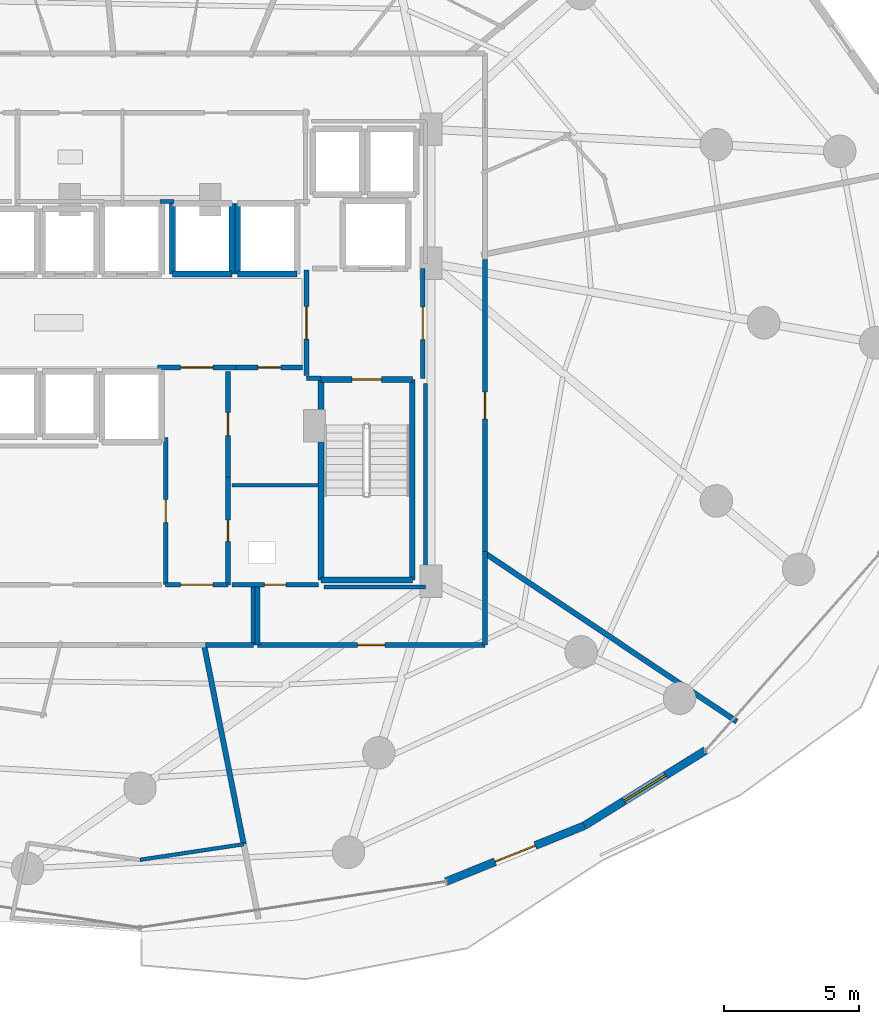
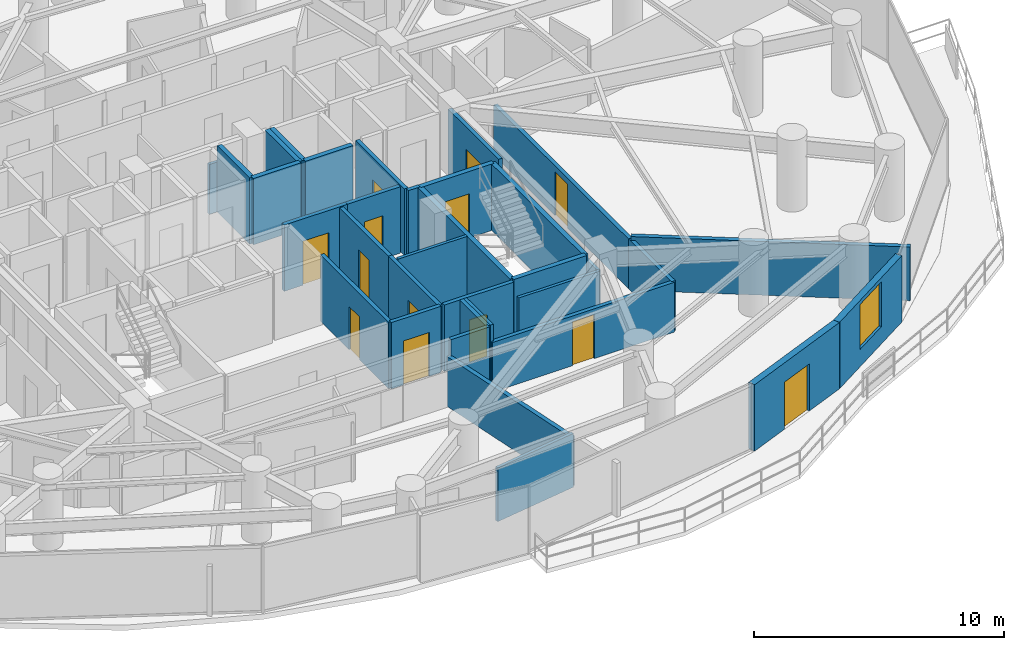
# One storey, part 28 of 34: 34 walls, 13 doors, 1 window, 14 openings.
"""IFC4 building model written with IfcOpenShell, lengths in metres."""

from ifc_helpers import new_model, si_unit, direction, frame, frame_2d, origin, place, context, subcontext, project, spatial, rectangle, extrude, material, layer, layer_set, type_object, element, fill, save


model = new_model("IFC4")

# Units and contexts
model_context = context("Model", 3, precision=1e-05, world=origin(), true_north=direction((0.0, 1.0)))
body_context = subcontext(model_context, "Body", "Model", "MODEL_VIEW")
ifc_project = project(units=[si_unit("LENGTHUNIT", "METRE"), si_unit("AREAUNIT", "SQUARE_METRE"), si_unit("VOLUMEUNIT", "CUBIC_METRE"), si_unit("PLANEANGLEUNIT", "RADIAN"), si_unit("MASSUNIT", "GRAM", prefix="KILO")], contexts=[model_context])

# Site, building, storey
site_placement = place(None, origin())
site = spatial("IfcSite", under=ifc_project, at=site_placement, CompositionType="ELEMENT")
building_placement = place(site_placement, origin())
building = spatial("IfcBuilding", under=site, at=building_placement, Name="Vorneva Point Tower", CompositionType="ELEMENT")
storey_placement = place(building_placement, frame((0.0, 0.0, 62.5)))
storey = spatial("IfcBuildingStorey", under=building, at=storey_placement, Name="L16", CompositionType="ELEMENT", Elevation=62.5)

# Wall, opening, door
ifc_material_1 = material(Name="Precast concrete B50 (C40/50)", Category="concrete")
ifc_layer_1 = layer(ifc_material_1, 0.300048828125)
ifc_layer_set_1 = layer_set([ifc_layer_1], Name="Precast concrete B50 (C40/50)")
wall_type_1 = type_object("IfcWallType", Name="WL-EXT-300", PredefinedType="STANDARD", material=ifc_layer_set_1)
wall_1_placement = place(storey_placement, frame((49.308349609375, 5.351318359375, 0.0), z_axis=(0.0, 0.0, 1.0), x_axis=(0.927095325176, 0.374825636845, 0.0)))
wall_1 = element("IfcWall", 1, at=wall_1_placement, inside=storey, type_object=wall_type_1, Name="L16 Pale-Metal Facade Spandrel Wall 14.1", PredefinedType="STANDARD", context=body_context, shape_type="SweptSolid", body=[
    extrude(rectangle(XDim=5.51025390625, YDim=0.300048828125, at=frame_2d((2.755126953125, 0.0))), origin(), (0.0, 0.0, 1.0), 3.239990234375),
])
opening_1_placement = place(wall_1_placement, frame((1.955322265625, 0.0, 0.0)))
opening_1 = element("IfcOpeningElement", 2, at=opening_1_placement, cuts=wall_1, Name="Opening BD-01", PredefinedType="OPENING", context=body_context, shape_type="SweptSolid", body=[
    extrude(rectangle(XDim=1.60009765625, YDim=2.300048828125, at=frame_2d((0.800048828125, 1.14990234375))), frame((0.0, 0.1650390625, 0.0), z_axis=(0.0, -1.0, 0.0), x_axis=(1.0, 0.0, 0.0)), (0.0, 0.0, 1.0), 0.329833984375),
])
ifc_material_2 = material(Name="Pale anodised aluminium", Category="aluminium")
door_type_1 = type_object("IfcDoorType", Name="DR-BAL-1600", OperationType="SLIDING_TO_LEFT", PredefinedType="DOOR", material=ifc_material_2)
door_1_placement = place(opening_1_placement, origin())
door_1 = element("IfcDoor", 3, at=door_1_placement, inside=storey, type_object=door_type_1, Name="L16 Balcony Terrace Access Door 14", OperationType="SLIDING_TO_LEFT", OverallHeight=2.300048828125, OverallWidth=1.60009765625, PredefinedType="DOOR", context=body_context, shape_type="SweptSolid", body=[
    extrude(rectangle(XDim=1.60009765625, YDim=2.300048828125, at=frame_2d((0.800048828125, 1.14990234375))), frame((0.0, 0.02490234375, 0.0), z_axis=(0.0, -1.0, 0.0), x_axis=(1.0, 0.0, 0.0)), (0.0, 0.0, 1.0), 0.050048828125),
])
fill(opening_1, door_1)

# Wall, opening, window
wall_2_placement = place(storey_placement, frame((54.4169921875, 7.416748046875, 0.0), z_axis=(0.0, 0.0, 1.0), x_axis=(0.849633724826, 0.527373239404, 0.0)))
wall_2 = element("IfcWall", 4, at=wall_2_placement, inside=storey, type_object=wall_type_1, Name="L16 Pale-Metal Facade Spandrel Wall 14.2", PredefinedType="STANDARD", context=body_context, shape_type="SweptSolid", body=[
    extrude(rectangle(XDim=5.2705078125, YDim=0.300048828125, at=frame_2d((2.63525390625, 0.0))), origin(), (0.0, 0.0, 1.0), 3.239990234375),
])
opening_2_placement = place(wall_2_placement, frame((1.735107421875, 0.0, 0.85009765625)))
opening_2 = element("IfcOpeningElement", 5, at=opening_2_placement, cuts=wall_2, Name="Opening W-01", PredefinedType="OPENING", context=body_context, shape_type="SweptSolid", body=[
    extrude(rectangle(XDim=1.800048828125, YDim=2.18994140625, at=frame_2d((0.89990234375, 1.094970703125))), frame((0.0, 0.1650390625, 0.0), z_axis=(0.0, -1.0, 0.0), x_axis=(1.0, 0.0, 0.0)), (0.0, 0.0, 1.0), 0.329833984375),
])
ifc_material_3 = material(Name="Double low-e laminated glass IGU", Category="glass")
window_type = type_object("IfcWindowType", Name="WN-LOG-1800", PartitioningType="SINGLE_PANEL", PredefinedType="WINDOW", material=ifc_material_3)
window_placement = place(opening_2_placement, origin())
window = element("IfcWindow", 6, at=window_placement, inside=storey, type_object=window_type, Name="L16 Facade Window 14", OverallHeight=2.18994140625, OverallWidth=1.800048828125, PartitioningType="SINGLE_PANEL", PredefinedType="WINDOW", context=body_context, shape_type="SweptSolid", body=[
    extrude(rectangle(XDim=1.800048828125, YDim=2.18994140625, at=frame_2d((0.89990234375, 1.094970703125))), frame((0.0, 0.030029296875, 0.0), z_axis=(0.0, -1.0, 0.0), x_axis=(1.0, 0.0, 0.0)), (0.0, 0.0, 1.0), 0.06005859375),
])
fill(opening_2, window)

# Walls
ifc_material_4 = material(Name="Fire-rated acoustic gypsum stud partition", Category="gypsum")
ifc_layer_2 = layer(ifc_material_4, 0.139892578125)
ifc_layer_set_2 = layer_set([ifc_layer_2], Name="Fire-rated acoustic gypsum stud partition")
wall_type_2 = type_object("IfcWallType", Name="WL-PART-140", PredefinedType="PARTITIONING", material=ifc_layer_set_2)
wall_3_placement = place(storey_placement, frame((44.60009765625, 20.0, 0.0), z_axis=(0.0, 0.0, 1.0), x_axis=(-1.0, 0.0, 0.0)))
element("IfcWall", 7, at=wall_3_placement, inside=storey, type_object=wall_type_2, Name="L16 Interior Partition 015", PredefinedType="PARTITIONING", context=body_context, shape_type="SweptSolid", body=[
    extrude(rectangle(XDim=3.2001953125, YDim=0.139892578125, at=frame_2d((1.60009765625, 0.0))), origin(), (0.0, 0.0, 1.0), 3.239990234375),
])
wall_4_placement = place(storey_placement, frame((38.0, 6.156005859375, 0.0), z_axis=(0.0, 0.0, 1.0), x_axis=(0.988862311426, 0.148833225599, 0.0)))
element("IfcWall", 8, at=wall_4_placement, inside=storey, type_object=wall_type_2, Name="L16 Interior Partition 087", PredefinedType="PARTITIONING", context=body_context, shape_type="SweptSolid", body=[
    extrude(rectangle(XDim=3.876220703125, YDim=0.139892578125, at=frame_2d((1.93798828125, 0.0))), origin(), (0.0, 0.0, 1.0), 2.6240234375),
])
wall_5_placement = place(storey_placement, frame((38.735107421875, 30.47998046875, 0.0), z_axis=(0.0, 0.0, 1.0), x_axis=(1.0, 0.0, 0.0)))
element("IfcWall", 9, at=wall_5_placement, inside=storey, type_object=wall_type_2, Name="L16 Interior Closure Partition 096", PredefinedType="PARTITIONING", context=body_context, shape_type="SweptSolid", body=[
    extrude(rectangle(XDim=0.52978515625, YDim=0.139892578125, at=frame_2d((0.264892578125, 0.0))), origin(), (0.0, 0.0, 1.0), 2.431884765625),
])
wall_6_placement = place(storey_placement, frame((48.550048828125, 23.75390625, 0.0), z_axis=(0.0, 0.0, 1.0), x_axis=(0.0, -1.0, 0.0)))
element("IfcWall", 10, at=wall_6_placement, inside=storey, type_object=wall_type_2, Name="L16 Interior Closure Partition 102", PredefinedType="PARTITIONING", context=body_context, shape_type="SweptSolid", body=[
    extrude(rectangle(XDim=7.513916015625, YDim=0.139892578125, at=frame_2d((3.7568359375, 0.0))), origin(), (0.0, 0.0, 1.0), 2.431884765625),
])
wall_7_placement = place(storey_placement, frame((48.550048828125, 16.239990234375, 0.0), z_axis=(0.0, 0.0, 1.0), x_axis=(-1.0, 0.0, 0.0)))
element("IfcWall", 11, at=wall_7_placement, inside=storey, type_object=wall_type_2, Name="L16 Interior Closure Partition 103", PredefinedType="PARTITIONING", context=body_context, shape_type="SweptSolid", body=[
    extrude(rectangle(XDim=3.7451171875, YDim=0.139892578125, at=frame_2d((1.87255859375, 0.0))), origin(), (0.0, 0.0, 1.0), 2.431884765625),
])

# Wall, opening, door
ifc_material_5 = material(Name="Autoclaved aerated concrete blockwork", Category="masonry")
ifc_layer_3 = layer(ifc_material_5, 0.179931640625)
ifc_layer_set_3 = layer_set([ifc_layer_3], Name="Autoclaved aerated concrete blockwork")
wall_type_3 = type_object("IfcWallType", Name="WL-PART-180", PredefinedType="PARTITIONING", material=ifc_layer_set_3)
wall_8_placement = place(storey_placement, frame((44.14990234375, 27.955078125, 0.0), z_axis=(0.0, 0.0, 1.0), x_axis=(0.0, -1.0, 0.0)))
wall_8 = element("IfcWall", 12, at=wall_8_placement, inside=storey, type_object=wall_type_3, Name="L16 Interior Partition 003", PredefinedType="PARTITIONING", context=body_context, shape_type="SweptSolid", body=[
    extrude(rectangle(XDim=3.91015625, YDim=0.179931640625, at=frame_2d((1.955078125, 0.0))), origin(), (0.0, 0.0, 1.0), 3.239990234375),
])
opening_3_placement = place(wall_8_placement, frame((1.35498046875, 0.0, 0.0)))
opening_3 = element("IfcOpeningElement", 13, at=opening_3_placement, cuts=wall_8, Name="Opening FD-02", PredefinedType="OPENING", context=body_context, shape_type="SweptSolid", body=[
    extrude(rectangle(XDim=1.199951171875, YDim=2.14990234375, at=frame_2d((0.60009765625, 1.074951171875))), frame((0.0, 0.10498046875, 0.0), z_axis=(0.0, -1.0, 0.0), x_axis=(1.0, 0.0, 0.0)), (0.0, 0.0, 1.0), 0.209716796875),
])
ifc_material_6 = material(Name="Fire-rated powder-coated steel", Category="steel")
door_type_2 = type_object("IfcDoorType", Name="DR-FFL-1200", OperationType="NOTDEFINED", PredefinedType="DOOR", material=ifc_material_6)
door_2_placement = place(opening_3_placement, origin())
door_2 = element("IfcDoor", 14, at=door_2_placement, inside=storey, type_object=door_type_2, Name="L16 Door East Firefighting Lobby / Central Lift Lobby", OperationType="SINGLE_SWING_RIGHT", OverallHeight=2.14990234375, OverallWidth=1.199951171875, PredefinedType="DOOR", context=body_context, shape_type="SweptSolid", body=[
    extrude(rectangle(XDim=1.199951171875, YDim=2.14990234375, at=frame_2d((0.60009765625, 1.074951171875))), frame((0.0, 0.02490234375, 0.0), z_axis=(0.0, -1.0, 0.0), x_axis=(1.0, 0.0, 0.0)), (0.0, 0.0, 1.0), 0.050048828125),
])
fill(opening_3, door_2)

# Wall
wall_9_placement = place(storey_placement, frame((44.14990234375, 23.949951171875, 0.0), z_axis=(0.0, 0.0, 1.0), x_axis=(1.0, 0.0, 0.0)))
element("IfcWall", 15, at=wall_9_placement, inside=storey, type_object=wall_type_3, Name="L16 Interior Partition 004", PredefinedType="PARTITIONING", context=body_context, shape_type="SweptSolid", body=[
    extrude(rectangle(XDim=0.5400390625, YDim=0.179931640625, at=frame_2d((0.27001953125, 0.0))), origin(), (0.0, 0.0, 1.0), 3.239990234375),
])

# Wall, opening, door
wall_10_placement = place(storey_placement, frame((48.449951171875, 23.949951171875, 0.0), z_axis=(0.0, 0.0, 1.0), x_axis=(0.0, 1.0, 0.0)))
wall_10 = element("IfcWall", 16, at=wall_10_placement, inside=storey, type_object=wall_type_3, Name="L16 Interior Partition 005", PredefinedType="PARTITIONING", context=body_context, shape_type="SweptSolid", body=[
    extrude(rectangle(XDim=4.050048828125, YDim=0.179931640625, at=frame_2d((2.02490234375, 0.0))), origin(), (0.0, 0.0, 1.0), 3.239990234375),
])
opening_4_placement = place(wall_10_placement, frame((1.425048828125, 0.0, 0.0)))
opening_4 = element("IfcOpeningElement", 17, at=opening_4_placement, cuts=wall_10, Name="Opening FD-02", PredefinedType="OPENING", context=body_context, shape_type="SweptSolid", body=[
    extrude(rectangle(XDim=1.199951171875, YDim=2.14990234375, at=frame_2d((0.60009765625, 1.074951171875))), frame((0.0, 0.10498046875, 0.0), z_axis=(0.0, -1.0, 0.0), x_axis=(1.0, 0.0, 0.0)), (0.0, 0.0, 1.0), 0.209716796875),
])
door_3_placement = place(opening_4_placement, origin())
door_3 = element("IfcDoor", 18, at=door_3_placement, inside=storey, type_object=door_type_2, Name="L16 Door East Firefighting Lobby / L16 Circulation Corridor", OperationType="SINGLE_SWING_LEFT", OverallHeight=2.14990234375, OverallWidth=1.199951171875, PredefinedType="DOOR", context=body_context, shape_type="SweptSolid", body=[
    extrude(rectangle(XDim=1.199951171875, YDim=2.14990234375, at=frame_2d((0.60009765625, 1.074951171875))), frame((0.0, 0.02490234375, 0.0), z_axis=(0.0, -1.0, 0.0), x_axis=(1.0, 0.0, 0.0)), (0.0, 0.0, 1.0), 0.050048828125),
])
fill(opening_4, door_3)

wall_11_placement = place(storey_placement, frame((38.64501953125, 24.35009765625, 0.0), z_axis=(0.0, 0.0, 1.0), x_axis=(1.0, 0.0, 0.0)))
wall_11 = element("IfcWall", 19, at=wall_11_placement, inside=storey, type_object=wall_type_3, Name="L16 Interior Partition 009", PredefinedType="PARTITIONING", context=body_context, shape_type="SweptSolid", body=[
    extrude(rectangle(XDim=2.909912109375, YDim=0.179931640625, at=frame_2d((1.455078125, 0.0))), origin(), (0.0, 0.0, 1.0), 3.239990234375),
])
opening_5_placement = place(wall_11_placement, frame((0.85498046875, 0.0, 0.0)))
opening_5 = element("IfcOpeningElement", 20, at=opening_5_placement, cuts=wall_11, Name="Opening FD-02", PredefinedType="OPENING", context=body_context, shape_type="SweptSolid", body=[
    extrude(rectangle(XDim=1.199951171875, YDim=2.14990234375, at=frame_2d((0.60009765625, 1.074951171875))), frame((0.0, 0.10498046875, 0.0), z_axis=(0.0, -1.0, 0.0), x_axis=(1.0, 0.0, 0.0)), (0.0, 0.0, 1.0), 0.209716796875),
])
door_4_placement = place(opening_5_placement, origin())
door_4 = element("IfcDoor", 21, at=door_4_placement, inside=storey, type_object=door_type_2, Name="L16 Door Central Lift Lobby / Core Service Lobby", OperationType="SINGLE_SWING_LEFT", OverallHeight=2.14990234375, OverallWidth=1.199951171875, PredefinedType="DOOR", context=body_context, shape_type="SweptSolid", body=[
    extrude(rectangle(XDim=1.199951171875, YDim=2.14990234375, at=frame_2d((0.60009765625, 1.074951171875))), frame((0.0, 0.02490234375, 0.0), z_axis=(0.0, -1.0, 0.0), x_axis=(1.0, 0.0, 0.0)), (0.0, 0.0, 1.0), 0.050048828125),
])
fill(opening_5, door_4)

wall_12_placement = place(storey_placement, frame((41.554931640625, 24.35009765625, 0.0), z_axis=(0.0, 0.0, 1.0), x_axis=(1.0, 0.0, 0.0)))
wall_12 = element("IfcWall", 22, at=wall_12_placement, inside=storey, type_object=wall_type_3, Name="L16 Interior Partition 010", PredefinedType="PARTITIONING", context=body_context, shape_type="SweptSolid", body=[
    extrude(rectangle(XDim=2.445068359375, YDim=0.179931640625, at=frame_2d((1.22265625, 0.0))), origin(), (0.0, 0.0, 1.0), 3.239990234375),
])
opening_6_placement = place(wall_12_placement, frame((0.797607421875, 0.0, 0.0)))
opening_6 = element("IfcOpeningElement", 23, at=opening_6_placement, cuts=wall_12, Name="Opening ID-02", PredefinedType="OPENING", context=body_context, shape_type="SweptSolid", body=[
    extrude(rectangle(XDim=0.85009765625, YDim=2.10009765625, at=frame_2d((0.425048828125, 1.050048828125))), frame((0.0, 0.10498046875, 0.0), z_axis=(0.0, -1.0, 0.0), x_axis=(1.0, 0.0, 0.0)), (0.0, 0.0, 1.0), 0.209716796875),
])
ifc_material_7 = material(Name="Engineered oak fire-rated door leaf", Category="wood")
door_type_3 = type_object("IfcDoorType", Name="DR-BATH-850", OperationType="NOTDEFINED", PredefinedType="DOOR", material=ifc_material_7)
door_5_placement = place(opening_6_placement, origin())
door_5 = element("IfcDoor", 24, at=door_5_placement, inside=storey, type_object=door_type_3, Name="L16 Door Central Lift Lobby / Cleaners Store", OperationType="SINGLE_SWING_RIGHT", OverallHeight=2.10009765625, OverallWidth=0.85009765625, PredefinedType="DOOR", context=body_context, shape_type="SweptSolid", body=[
    extrude(rectangle(XDim=0.85009765625, YDim=2.10009765625, at=frame_2d((0.425048828125, 1.050048828125))), frame((0.0, 0.02490234375, 0.0), z_axis=(0.0, -1.0, 0.0), x_axis=(1.0, 0.0, 0.0)), (0.0, 0.0, 1.0), 0.050048828125),
])
fill(opening_6, door_5)

wall_13_placement = place(storey_placement, frame((41.25, 16.320068359375, 0.0), z_axis=(0.0, 0.0, 1.0), x_axis=(0.0, 1.0, 0.0)))
wall_13 = element("IfcWall", 25, at=wall_13_placement, inside=storey, type_object=wall_type_3, Name="L16 Interior Partition 011", PredefinedType="PARTITIONING", context=body_context, shape_type="SweptSolid", body=[
    extrude(rectangle(XDim=3.98486328125, YDim=0.179931640625, at=frame_2d((1.992431640625, 0.0))), origin(), (0.0, 0.0, 1.0), 3.239990234375),
])
opening_7_placement = place(wall_13_placement, frame((1.592529296875, 0.0, 0.0)))
opening_7 = element("IfcOpeningElement", 26, at=opening_7_placement, cuts=wall_13, Name="Opening RD-01", PredefinedType="OPENING", context=body_context, shape_type="SweptSolid", body=[
    extrude(rectangle(XDim=0.800048828125, YDim=2.050048828125, at=frame_2d((0.39990234375, 1.02490234375))), frame((0.0, 0.10498046875, 0.0), z_axis=(0.0, -1.0, 0.0), x_axis=(1.0, 0.0, 0.0)), (0.0, 0.0, 1.0), 0.209716796875),
])
door_type_4 = type_object("IfcDoorType", Name="DR-RSR-800", OperationType="SINGLE_SWING_LEFT", PredefinedType="DOOR", material=ifc_material_6)
door_6_placement = place(opening_7_placement, origin())
door_6 = element("IfcDoor", 27, at=door_6_placement, inside=storey, type_object=door_type_4, Name="L16 Door Core Service Lobby / Electrical Riser", OperationType="SINGLE_SWING_LEFT", OverallHeight=2.050048828125, OverallWidth=0.800048828125, PredefinedType="DOOR", context=body_context, shape_type="SweptSolid", body=[
    extrude(rectangle(XDim=0.800048828125, YDim=2.050048828125, at=frame_2d((0.39990234375, 1.02490234375))), frame((0.0, 0.02490234375, 0.0), z_axis=(0.0, -1.0, 0.0), x_axis=(1.0, 0.0, 0.0)), (0.0, 0.0, 1.0), 0.050048828125),
])
fill(opening_7, door_6)

wall_14_placement = place(storey_placement, frame((41.25, 20.304931640625, 0.0), z_axis=(0.0, 0.0, 1.0), x_axis=(0.0, 1.0, 0.0)))
wall_14 = element("IfcWall", 28, at=wall_14_placement, inside=storey, type_object=wall_type_3, Name="L16 Interior Partition 012", PredefinedType="PARTITIONING", context=body_context, shape_type="SweptSolid", body=[
    extrude(rectangle(XDim=3.89501953125, YDim=0.179931640625, at=frame_2d((1.947509765625, 0.0))), origin(), (0.0, 0.0, 1.0), 3.239990234375),
])
opening_8_placement = place(wall_14_placement, frame((1.5224609375, 0.0, 0.0)))
opening_8 = element("IfcOpeningElement", 29, at=opening_8_placement, cuts=wall_14, Name="Opening ID-02", PredefinedType="OPENING", context=body_context, shape_type="SweptSolid", body=[
    extrude(rectangle(XDim=0.85009765625, YDim=2.10009765625, at=frame_2d((0.425048828125, 1.050048828125))), frame((0.0, 0.10498046875, 0.0), z_axis=(0.0, -1.0, 0.0), x_axis=(1.0, 0.0, 0.0)), (0.0, 0.0, 1.0), 0.209716796875),
])
door_7_placement = place(opening_8_placement, origin())
door_7 = element("IfcDoor", 30, at=door_7_placement, inside=storey, type_object=door_type_3, Name="L16 Door Core Service Lobby / Cleaners Store", OperationType="SINGLE_SWING_RIGHT", OverallHeight=2.10009765625, OverallWidth=0.85009765625, PredefinedType="DOOR", context=body_context, shape_type="SweptSolid", body=[
    extrude(rectangle(XDim=0.85009765625, YDim=2.10009765625, at=frame_2d((0.425048828125, 1.050048828125))), frame((0.0, 0.02490234375, 0.0), z_axis=(0.0, -1.0, 0.0), x_axis=(1.0, 0.0, 0.0)), (0.0, 0.0, 1.0), 0.050048828125),
])
fill(opening_8, door_7)

wall_15_placement = place(storey_placement, frame((38.949951171875, 21.7548828125, 0.0), z_axis=(0.0, 0.0, 1.0), x_axis=(0.0, -1.0, 0.0)))
wall_15 = element("IfcWall", 31, at=wall_15_placement, inside=storey, type_object=wall_type_3, Name="L16 Interior Partition 013", PredefinedType="PARTITIONING", context=body_context, shape_type="SweptSolid", body=[
    extrude(rectangle(XDim=5.434814453125, YDim=0.179931640625, at=frame_2d((2.71728515625, 0.0))), origin(), (0.0, 0.0, 1.0), 3.239990234375),
])
opening_9_placement = place(wall_15_placement, frame((2.29248046875, 0.0, 0.0)))
opening_9 = element("IfcOpeningElement", 32, at=opening_9_placement, cuts=wall_15, Name="Opening ID-02", PredefinedType="OPENING", context=body_context, shape_type="SweptSolid", body=[
    extrude(rectangle(XDim=0.85009765625, YDim=2.10009765625, at=frame_2d((0.425048828125, 1.050048828125))), frame((0.0, 0.10498046875, 0.0), z_axis=(0.0, -1.0, 0.0), x_axis=(1.0, 0.0, 0.0)), (0.0, 0.0, 1.0), 0.209716796875),
])
door_8_placement = place(opening_9_placement, origin())
door_8 = element("IfcDoor", 33, at=door_8_placement, inside=storey, type_object=door_type_3, Name="L16 Door Core Service Lobby / Housekeeping and Linen Room", OperationType="SINGLE_SWING_LEFT", OverallHeight=2.10009765625, OverallWidth=0.85009765625, PredefinedType="DOOR", context=body_context, shape_type="SweptSolid", body=[
    extrude(rectangle(XDim=0.85009765625, YDim=2.10009765625, at=frame_2d((0.425048828125, 1.050048828125))), frame((0.0, 0.02490234375, 0.0), z_axis=(0.0, -1.0, 0.0), x_axis=(1.0, 0.0, 0.0)), (0.0, 0.0, 1.0), 0.050048828125),
])
fill(opening_9, door_8)

wall_16_placement = place(storey_placement, frame((38.949951171875, 16.320068359375, 0.0), z_axis=(0.0, 0.0, 1.0), x_axis=(1.0, 0.0, 0.0)))
wall_16 = element("IfcWall", 34, at=wall_16_placement, inside=storey, type_object=wall_type_3, Name="L16 Interior Partition 014", PredefinedType="PARTITIONING", context=body_context, shape_type="SweptSolid", body=[
    extrude(rectangle(XDim=2.300048828125, YDim=0.179931640625, at=frame_2d((1.14990234375, 0.0))), origin(), (0.0, 0.0, 1.0), 3.239990234375),
])
opening_10_placement = place(wall_16_placement, frame((0.550048828125, 0.0, 0.0)))
opening_10 = element("IfcOpeningElement", 35, at=opening_10_placement, cuts=wall_16, Name="Opening FD-02", PredefinedType="OPENING", context=body_context, shape_type="SweptSolid", body=[
    extrude(rectangle(XDim=1.199951171875, YDim=2.14990234375, at=frame_2d((0.60009765625, 1.074951171875))), frame((0.0, 0.10498046875, 0.0), z_axis=(0.0, -1.0, 0.0), x_axis=(1.0, 0.0, 0.0)), (0.0, 0.0, 1.0), 0.209716796875),
])
door_9_placement = place(opening_10_placement, origin())
door_9 = element("IfcDoor", 36, at=door_9_placement, inside=storey, type_object=door_type_2, Name="L16 Door Core Service Lobby / L16 Circulation Corridor", OperationType="SINGLE_SWING_RIGHT", OverallHeight=2.14990234375, OverallWidth=1.199951171875, PredefinedType="DOOR", context=body_context, shape_type="SweptSolid", body=[
    extrude(rectangle(XDim=1.199951171875, YDim=2.14990234375, at=frame_2d((0.60009765625, 1.074951171875))), frame((0.0, 0.02490234375, 0.0), z_axis=(0.0, -1.0, 0.0), x_axis=(1.0, 0.0, 0.0)), (0.0, 0.0, 1.0), 0.050048828125),
])
fill(opening_10, door_9)

wall_17_placement = place(storey_placement, frame((41.39990234375, 16.320068359375, 0.0), z_axis=(0.0, 0.0, 1.0), x_axis=(1.0, 0.0, 0.0)))
wall_17 = element("IfcWall", 37, at=wall_17_placement, inside=storey, type_object=wall_type_3, Name="L16 Interior Partition 016", PredefinedType="PARTITIONING", context=body_context, shape_type="SweptSolid", body=[
    extrude(rectangle(XDim=3.2001953125, YDim=0.179931640625, at=frame_2d((1.60009765625, 0.0))), origin(), (0.0, 0.0, 1.0), 3.239990234375),
])
opening_11_placement = place(wall_17_placement, frame((1.199951171875, 0.0, 0.0)))
opening_11 = element("IfcOpeningElement", 38, at=opening_11_placement, cuts=wall_17, Name="Opening RD-01", PredefinedType="OPENING", context=body_context, shape_type="SweptSolid", body=[
    extrude(rectangle(XDim=0.800048828125, YDim=2.050048828125, at=frame_2d((0.39990234375, 1.02490234375))), frame((0.0, 0.10498046875, 0.0), z_axis=(0.0, -1.0, 0.0), x_axis=(1.0, 0.0, 0.0)), (0.0, 0.0, 1.0), 0.209716796875),
])
door_10_placement = place(opening_11_placement, origin())
door_10 = element("IfcDoor", 39, at=door_10_placement, inside=storey, type_object=door_type_4, Name="L16 Door Electrical Riser / L16 Circulation Corridor", OperationType="SINGLE_SWING_LEFT", OverallHeight=2.050048828125, OverallWidth=0.800048828125, PredefinedType="DOOR", context=body_context, shape_type="SweptSolid", body=[
    extrude(rectangle(XDim=0.800048828125, YDim=2.050048828125, at=frame_2d((0.39990234375, 1.02490234375))), frame((0.0, 0.02490234375, 0.0), z_axis=(0.0, -1.0, 0.0), x_axis=(1.0, 0.0, 0.0)), (0.0, 0.0, 1.0), 0.050048828125),
])
fill(opening_11, door_10)

# Wall
wall_18_placement = place(storey_placement, frame((42.340087890625, 16.239990234375, 0.0), z_axis=(0.0, 0.0, 1.0), x_axis=(0.0, -1.0, 0.0)))
element("IfcWall", 40, at=wall_18_placement, inside=storey, type_object=wall_type_3, Name="L16 Interior Partition 043", PredefinedType="PARTITIONING", context=body_context, shape_type="SweptSolid", body=[
    extrude(rectangle(XDim=2.139892578125, YDim=0.179931640625, at=frame_2d((1.06982421875, 0.0))), origin(), (0.0, 0.0, 1.0), 3.239990234375),
])

# Wall, opening, door
wall_19_placement = place(storey_placement, frame((42.340087890625, 14.10009765625, 0.0), z_axis=(0.0, 0.0, 1.0), x_axis=(1.0, 0.0, 0.0)))
wall_19 = element("IfcWall", 41, at=wall_19_placement, inside=storey, type_object=wall_type_3, Name="L16 Interior Partition 044", PredefinedType="PARTITIONING", context=body_context, shape_type="SweptSolid", body=[
    extrude(rectangle(XDim=8.409912109375, YDim=0.179931640625, at=frame_2d((4.205078125, 0.0))), origin(), (0.0, 0.0, 1.0), 2.431884765625),
])
opening_12_placement = place(wall_19_placement, frame((3.705078125, 0.0, 0.0)))
opening_12 = element("IfcOpeningElement", 42, at=opening_12_placement, cuts=wall_19, Name="Opening UD-01", PredefinedType="OPENING", context=body_context, shape_type="SweptSolid", body=[
    extrude(rectangle(XDim=1.0, YDim=2.14990234375, at=frame_2d((0.5, 1.074951171875))), frame((0.0, 0.10498046875, 0.0), z_axis=(0.0, -1.0, 0.0), x_axis=(1.0, 0.0, 0.0)), (0.0, 0.0, 1.0), 0.209716796875),
])
door_type_5 = type_object("IfcDoorType", Name="DR-UNIT-1000", OperationType="NOTDEFINED", PredefinedType="DOOR", material=ifc_material_7)
door_11_placement = place(opening_12_placement, origin())
door_11 = element("IfcDoor", 43, at=door_11_placement, inside=storey, type_object=door_type_5, Name="L16 Door L16 Circulation Corridor / Executive Meeting Room L16-10", OperationType="SINGLE_SWING_RIGHT", OverallHeight=2.14990234375, OverallWidth=1.0, PredefinedType="DOOR", context=body_context, shape_type="SweptSolid", body=[
    extrude(rectangle(XDim=1.0, YDim=2.14990234375, at=frame_2d((0.5, 1.074951171875))), frame((0.0, 0.02490234375, 0.0), z_axis=(0.0, -1.0, 0.0), x_axis=(1.0, 0.0, 0.0)), (0.0, 0.0, 1.0), 0.050048828125),
])
fill(opening_12, door_11)

# Walls
wall_20_placement = place(storey_placement, frame((50.75, 14.10009765625, 0.0), z_axis=(0.0, 0.0, 1.0), x_axis=(0.0, 1.0, 0.0)))
element("IfcWall", 44, at=wall_20_placement, inside=storey, type_object=wall_type_3, Name="L16 Interior Partition 045", PredefinedType="PARTITIONING", context=body_context, shape_type="SweptSolid", body=[
    extrude(rectangle(XDim=3.44091796875, YDim=0.179931640625, at=frame_2d((1.720458984375, 0.0))), origin(), (0.0, 0.0, 1.0), 2.431884765625),
])
wall_21_placement = place(storey_placement, frame((40.427978515625, 14.10009765625, 0.0), z_axis=(0.0, 0.0, 1.0), x_axis=(1.0, 0.0, 0.0)))
element("IfcWall", 45, at=wall_21_placement, inside=storey, type_object=wall_type_3, Name="L16 Interior Partition 046", PredefinedType="PARTITIONING", context=body_context, shape_type="SweptSolid", body=[
    extrude(rectangle(XDim=1.77197265625, YDim=0.179931640625, at=frame_2d((0.885986328125, 0.0))), origin(), (0.0, 0.0, 1.0), 3.239990234375),
])
wall_22_placement = place(storey_placement, frame((42.199951171875, 14.10009765625, 0.0), z_axis=(0.0, 0.0, 1.0), x_axis=(0.0, 1.0, 0.0)))
element("IfcWall", 46, at=wall_22_placement, inside=storey, type_object=wall_type_3, Name="L16 Interior Partition 047", PredefinedType="PARTITIONING", context=body_context, shape_type="SweptSolid", body=[
    extrude(rectangle(XDim=2.139892578125, YDim=0.179931640625, at=frame_2d((1.06982421875, 0.0))), origin(), (0.0, 0.0, 1.0), 3.239990234375),
])

# Wall, opening, door
wall_23_placement = place(storey_placement, frame((50.75, 17.541015625, 0.0), z_axis=(0.0, 0.0, 1.0), x_axis=(0.0, 1.0, 0.0)))
wall_23 = element("IfcWall", 47, at=wall_23_placement, inside=storey, type_object=wall_type_3, Name="L16 Interior Partition 048", PredefinedType="PARTITIONING", context=body_context, shape_type="SweptSolid", body=[
    extrude(rectangle(XDim=10.794921875, YDim=0.179931640625, at=frame_2d((5.3974609375, 0.0))), origin(), (0.0, 0.0, 1.0), 2.431884765625),
])
opening_13_placement = place(wall_23_placement, frame((4.8974609375, 0.0, 0.0)))
opening_13 = element("IfcOpeningElement", 48, at=opening_13_placement, cuts=wall_23, Name="Opening UD-01", PredefinedType="OPENING", context=body_context, shape_type="SweptSolid", body=[
    extrude(rectangle(XDim=1.0, YDim=2.14990234375, at=frame_2d((0.5, 1.074951171875))), frame((0.0, 0.10498046875, 0.0), z_axis=(0.0, -1.0, 0.0), x_axis=(1.0, 0.0, 0.0)), (0.0, 0.0, 1.0), 0.209716796875),
])
door_12_placement = place(opening_13_placement, origin())
door_12 = element("IfcDoor", 49, at=door_12_placement, inside=storey, type_object=door_type_5, Name="L16 Door L16 Circulation Corridor / Executive Meeting Room L16-11", OperationType="SINGLE_SWING_LEFT", OverallHeight=2.14990234375, OverallWidth=1.0, PredefinedType="DOOR", context=body_context, shape_type="SweptSolid", body=[
    extrude(rectangle(XDim=1.0, YDim=2.14990234375, at=frame_2d((0.5, 1.074951171875))), frame((0.0, 0.02490234375, 0.0), z_axis=(0.0, -1.0, 0.0), x_axis=(1.0, 0.0, 0.0)), (0.0, 0.0, 1.0), 0.050048828125),
])
fill(opening_13, door_12)

# Walls
ifc_layer_4 = layer(ifc_material_5, 0.199951171875)
ifc_layer_set_4 = layer_set([ifc_layer_4], Name="Autoclaved aerated concrete blockwork")
wall_type_4 = type_object("IfcWallType", Name="WL-PART-200", PredefinedType="PARTITIONING", material=ifc_layer_set_4)
wall_24_placement = place(storey_placement, frame((41.8330078125, 6.73291015625, 0.0), z_axis=(0.0, 0.0, 1.0), x_axis=(-0.195172247164, 0.980768980921, 0.0)))
element("IfcWall", 50, at=wall_24_placement, inside=storey, type_object=wall_type_4, Name="L16 Interior Partition 089", PredefinedType="PARTITIONING", context=body_context, shape_type="SweptSolid", body=[
    extrude(rectangle(XDim=7.51171875, YDim=0.199951171875, at=frame_2d((3.755859375, 0.0))), origin(), (0.0, 0.0, 1.0), 2.431884765625),
])
wall_25_placement = place(storey_placement, frame((60.052978515625, 11.264892578125, 0.0), z_axis=(0.0, 0.0, 1.0), x_axis=(-0.831469078055, 0.555571032577, 0.0)))
element("IfcWall", 51, at=wall_25_placement, inside=storey, type_object=wall_type_4, Name="L16 Interior Partition 091", PredefinedType="PARTITIONING", context=body_context, shape_type="SweptSolid", body=[
    extrude(rectangle(XDim=11.188720703125, YDim=0.199951171875, at=frame_2d((5.59423828125, 0.0))), origin(), (0.0, 0.0, 1.0), 2.6240234375),
])

# Wall, opening, door
ifc_material_8 = material(Name="Concrete B50 (C40/50)", Category="concrete")
ifc_layer_5 = layer(ifc_material_8, 0.219970703125)
ifc_layer_set_5 = layer_set([ifc_layer_5], Name="Concrete B50 (C40/50)")
wall_type_5 = type_object("IfcWallType", Name="WL-SHFT-220", PredefinedType="SOLIDWALL", material=ifc_layer_set_5)
wall_26_placement = place(storey_placement, frame((44.68994140625, 23.909912109375, 0.0), z_axis=(0.0, 0.0, 1.0), x_axis=(1.0, 0.0, 0.0)))
wall_26 = element("IfcWall", 52, at=wall_26_placement, inside=storey, type_object=wall_type_5, Name="L16 Exit Stair ST2 Shaft Wall near", PredefinedType="SOLIDWALL", context=body_context, shape_type="SweptSolid", body=[
    extrude(rectangle(XDim=3.3701171875, YDim=0.219970703125, at=frame_2d((1.68505859375, 0.0))), origin(), (0.0, 0.0, 1.0), 3.239990234375),
])
opening_14_placement = place(wall_26_placement, frame((1.135009765625, 0.0, 0.0)))
opening_14 = element("IfcOpeningElement", 53, at=opening_14_placement, cuts=wall_26, Name="Opening FD-01", PredefinedType="OPENING", context=body_context, shape_type="SweptSolid", body=[
    extrude(rectangle(XDim=1.10009765625, YDim=2.14990234375, at=frame_2d((0.550048828125, 1.074951171875))), frame((0.0, 0.125, 0.0), z_axis=(0.0, -1.0, 0.0), x_axis=(1.0, 0.0, 0.0)), (0.0, 0.0, 1.0), 0.249755859375),
])
door_type_6 = type_object("IfcDoorType", Name="DR-STAIR-1100", OperationType="NOTDEFINED", PredefinedType="DOOR", material=ifc_material_6)
door_13_placement = place(opening_14_placement, origin())
door_13 = element("IfcDoor", 54, at=door_13_placement, inside=storey, type_object=door_type_6, Name="L16 Exit Stair ST2 Fire Door", OperationType="SINGLE_SWING_LEFT", OverallHeight=2.14990234375, OverallWidth=1.10009765625, PredefinedType="DOOR", context=body_context, shape_type="SweptSolid", body=[
    extrude(rectangle(XDim=1.10009765625, YDim=2.14990234375, at=frame_2d((0.550048828125, 1.074951171875))), frame((0.0, 0.02490234375, 0.0), z_axis=(0.0, -1.0, 0.0), x_axis=(1.0, 0.0, 0.0)), (0.0, 0.0, 1.0), 0.050048828125),
])
fill(opening_14, door_13)

# Walls
wall_27_placement = place(storey_placement, frame((48.06005859375, 23.909912109375, 0.0), z_axis=(0.0, 0.0, 1.0), x_axis=(0.0, -1.0, 0.0)))
element("IfcWall", 55, at=wall_27_placement, inside=storey, type_object=wall_type_5, Name="L16 Exit Stair ST2 Shaft Wall right", PredefinedType="SOLIDWALL", context=body_context, shape_type="SweptSolid", body=[
    extrude(rectangle(XDim=7.419921875, YDim=0.219970703125, at=frame_2d((3.7099609375, 0.0))), origin(), (0.0, 0.0, 1.0), 3.239990234375),
])
wall_28_placement = place(storey_placement, frame((48.06005859375, 16.489990234375, 0.0), z_axis=(0.0, 0.0, 1.0), x_axis=(-1.0, 0.0, 0.0)))
element("IfcWall", 56, at=wall_28_placement, inside=storey, type_object=wall_type_5, Name="L16 Exit Stair ST2 Shaft Wall far", PredefinedType="SOLIDWALL", context=body_context, shape_type="SweptSolid", body=[
    extrude(rectangle(XDim=3.3701171875, YDim=0.219970703125, at=frame_2d((1.68505859375, 0.0))), origin(), (0.0, 0.0, 1.0), 3.239990234375),
])
wall_29_placement = place(storey_placement, frame((44.68994140625, 16.489990234375, 0.0), z_axis=(0.0, 0.0, 1.0), x_axis=(0.0, 1.0, 0.0)))
element("IfcWall", 57, at=wall_29_placement, inside=storey, type_object=wall_type_5, Name="L16 Exit Stair ST2 Shaft Wall left", PredefinedType="SOLIDWALL", context=body_context, shape_type="SweptSolid", body=[
    extrude(rectangle(XDim=7.419921875, YDim=0.219970703125, at=frame_2d((3.7099609375, 0.0))), origin(), (0.0, 0.0, 1.0), 3.239990234375),
])
wall_30_placement = place(storey_placement, frame((39.199951171875, 27.800048828125, 0.0), z_axis=(0.0, 0.0, 1.0), x_axis=(1.0, 0.0, 0.0)))
element("IfcWall", 58, at=wall_30_placement, inside=storey, type_object=wall_type_5, Name="L16 Lift PL7 Shaft Wall -Y", PredefinedType="SOLIDWALL", context=body_context, shape_type="SweptSolid", body=[
    extrude(rectangle(XDim=2.199951171875, YDim=0.219970703125, at=frame_2d((1.10009765625, 0.0))), origin(), (0.0, 0.0, 1.0), 3.239990234375),
])
for number, where, z_axis, x_axis, name in (
    (59, (41.39990234375, 27.800048828125, 0.0), (0.0, 0.0, 1.0), (0.0, 1.0, 0.0), "L16 Lift PL7 Shaft Wall +X"),
    (60, (39.199951171875, 30.39990234375, 0.0), (0.0, 0.0, 1.0), (0.0, -1.0, 0.0), "L16 Lift PL7 Shaft Wall -X"),
):
    element("IfcWall", number, at=place(storey_placement, frame(where, z_axis=z_axis, x_axis=x_axis)), inside=storey, type_object=wall_type_5, Name=name, PredefinedType="SOLIDWALL", context=body_context, shape_type="SweptSolid", body=[
        extrude(rectangle(XDim=2.599853515625, YDim=0.219970703125, at=frame_2d((1.2998046875, 0.0))), origin(), (0.0, 0.0, 1.0), 3.239990234375),
    ])
wall_31_placement = place(storey_placement, frame((41.60009765625, 27.800048828125, 0.0), z_axis=(0.0, 0.0, 1.0), x_axis=(1.0, 0.0, 0.0)))
element("IfcWall", 61, at=wall_31_placement, inside=storey, type_object=wall_type_5, Name="L16 Lift PL8 Shaft Wall -Y", PredefinedType="SOLIDWALL", context=body_context, shape_type="SweptSolid", body=[
    extrude(rectangle(XDim=2.199951171875, YDim=0.219970703125, at=frame_2d((1.10009765625, 0.0))), origin(), (0.0, 0.0, 1.0), 3.239990234375),
])
wall_32_placement = place(storey_placement, frame((41.60009765625, 30.39990234375, 0.0), z_axis=(0.0, 0.0, 1.0), x_axis=(0.0, -1.0, 0.0)))
element("IfcWall", 62, at=wall_32_placement, inside=storey, type_object=wall_type_5, Name="L16 Lift PL8 Shaft Wall -X", PredefinedType="SOLIDWALL", context=body_context, shape_type="SweptSolid", body=[
    extrude(rectangle(XDim=2.599853515625, YDim=0.219970703125, at=frame_2d((1.2998046875, 0.0))), origin(), (0.0, 0.0, 1.0), 3.239990234375),
])

save(model, "model.ifc")
